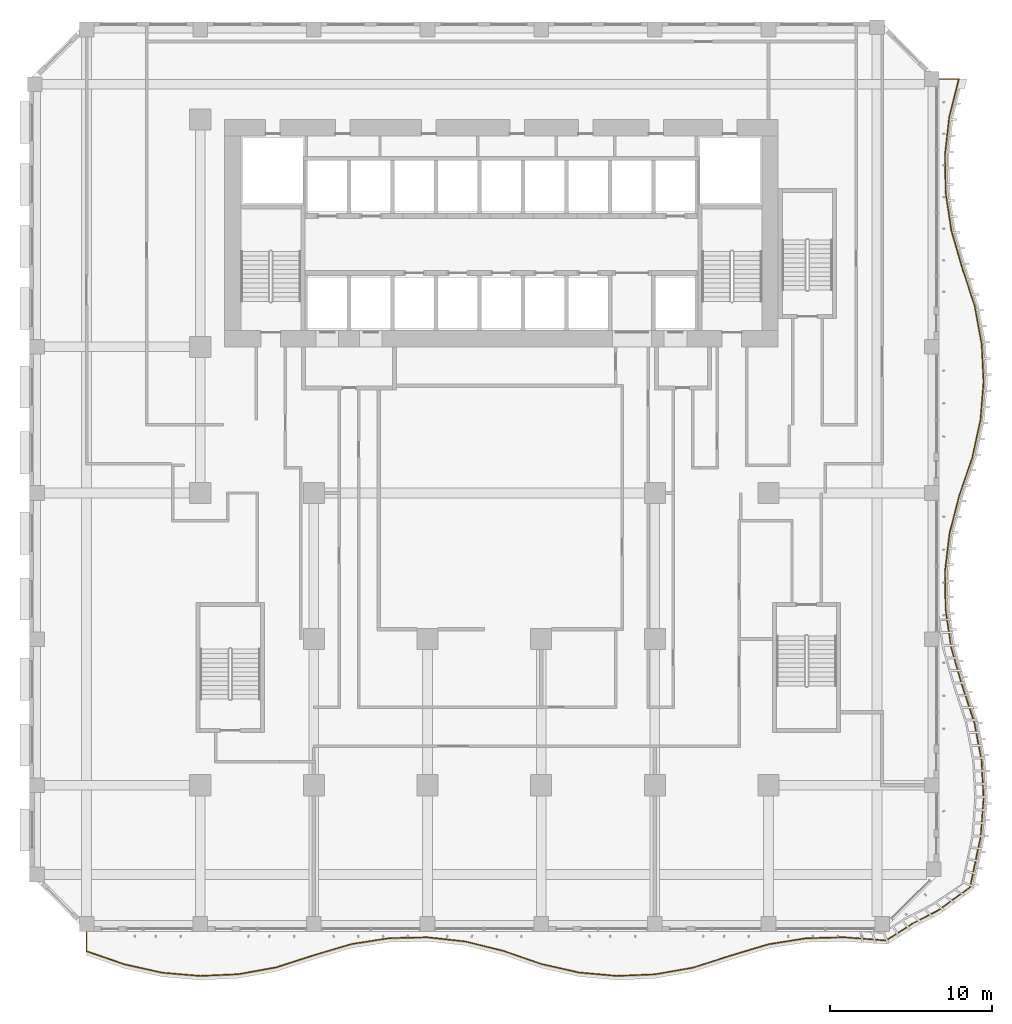
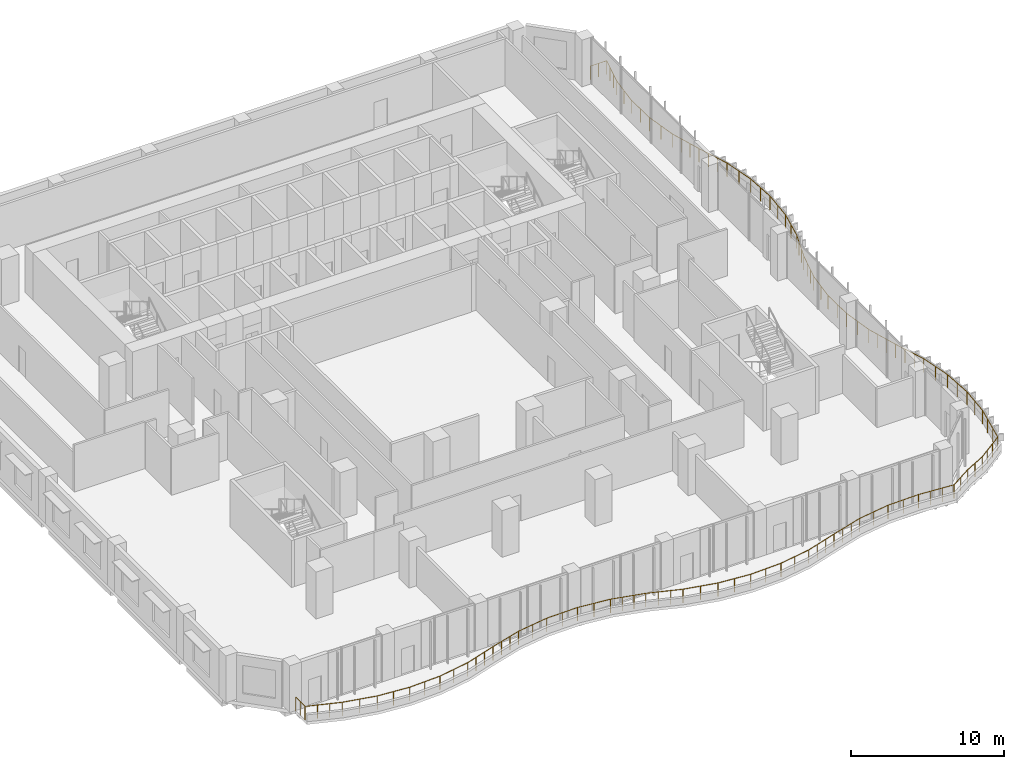
# One storey, part 21 of 27: 1 railing.
"""IFC4 building model written with IfcOpenShell, lengths in metres."""

from ifc_helpers import new_model, si_unit, direction, frame, origin, origin_2d, place, context, subcontext, project, spatial, circle, extrude, material, type_object, element, save


model = new_model("IFC4")

# Units and contexts
model_context = context("Model", 3, precision=1e-05, world=origin(), true_north=direction((0.0, 1.0)))
body_context = subcontext(model_context, "Body", "Model", "MODEL_VIEW")
ifc_project = project(units=[si_unit("LENGTHUNIT", "METRE"), si_unit("AREAUNIT", "SQUARE_METRE"), si_unit("VOLUMEUNIT", "CUBIC_METRE"), si_unit("PLANEANGLEUNIT", "RADIAN"), si_unit("MASSUNIT", "GRAM", prefix="KILO")], contexts=[model_context])

# Site, building, storey
site_placement = place(None, origin())
site = spatial("IfcSite", under=ifc_project, at=site_placement, CompositionType="ELEMENT")
building_placement = place(site_placement, origin())
building = spatial("IfcBuilding", under=site, at=building_placement, Name="Kilnfold Tower and Market Hall", CompositionType="ELEMENT")
storey_placement = place(building_placement, frame((0.0, 0.0, 47.0)))
storey = spatial("IfcBuildingStorey", under=building, at=storey_placement, Name="L10", CompositionType="ELEMENT", Elevation=47.0)

# Railing
ifc_material = material(Name="Stainless steel and laminated glass", Category="steel")
railing_type = type_object("IfcRailingType", Name="GUARD 1100", PredefinedType="GUARDRAIL", material=ifc_material)
railing_placement = place(storey_placement, frame((-24.5, -28.0, 0.0)))
element("IfcRailing", 1, at=railing_placement, inside=storey, type_object=railing_type, Name="Guard balcony L10", PredefinedType="GUARDRAIL", context=body_context, shape_type="SweptSolid", body=[
    extrude(circle(Radius=0.02490234375, at=origin_2d()), frame((0.0, 0.0, 1.0751953125), z_axis=(0.0, -1.0, 0.0), x_axis=(1.0, 0.0, 0.0)), (0.0, 0.0, 1.0), 1.223388671875),
    extrude(circle(Radius=0.02490234375, at=origin_2d()), frame((0.0, -1.223388671875, 1.0751953125), z_axis=(0.945175220701, -0.326563626531, 0.0), x_axis=(0.326563626531, 0.945175220701, 0.0)), (0.0, 0.0, 1.0), 2.468505859375),
    extrude(circle(Radius=0.02490234375, at=origin_2d()), frame((2.333251953125, -2.029541015625, 1.0751953125), z_axis=(0.976316671671, -0.216346381105, 0.0), x_axis=(0.216346381105, 0.976316671671, 0.0)), (0.0, 0.0, 1.0), 2.39013671875),
    extrude(circle(Radius=0.02490234375, at=origin_2d()), frame((4.666748046875, -2.546630859375, 1.0751953125), z_axis=(0.996348169595, -0.085383399696, 0.0), x_axis=(0.085383399696, 0.996348169595, 0.0)), (0.0, 0.0, 1.0), 2.341796875),
    extrude(circle(Radius=0.02490234375, at=origin_2d()), frame((7.0, -2.74658203125, 1.0751953125), z_axis=(0.998956219138, 0.045677918569, 0.0), x_axis=(-0.045677918569, 0.998956219138, 0.0)), (0.0, 0.0, 1.0), 2.335693359375),
    extrude(circle(Radius=0.02490234375, at=origin_2d()), frame((9.333251953125, -2.639892578125, 1.0751953125), z_axis=(0.984280847585, 0.176610342499, 0.0), x_axis=(-0.176610342499, 0.984280847585, 0.0)), (0.0, 0.0, 1.0), 2.370849609375),
    extrude(circle(Radius=0.02490234375, at=origin_2d()), frame((11.666748046875, -2.22119140625, 1.0751953125), z_axis=(0.951822133239, 0.306650659019, 0.0), x_axis=(-0.306650659019, 0.951822133239, 0.0)), (0.0, 0.0, 1.0), 2.451416015625),
    extrude(circle(Radius=0.02490234375, at=origin_2d()), frame((14.0, -1.469482421875, 1.0751953125), z_axis=(0.958871969093, 0.283838945335, 0.0), x_axis=(-0.283838945335, 0.958871969093, 0.0)), (0.0, 0.0, 1.0), 2.433349609375),
    extrude(circle(Radius=0.02490234375, at=origin_2d()), frame((16.333251953125, -0.77880859375, 1.0751953125), z_axis=(0.988254262628, 0.152818560385, 0.0), x_axis=(-0.152818560385, 0.988254262628, 0.0)), (0.0, 0.0, 1.0), 2.361328125),
    extrude(circle(Radius=0.02490234375, at=origin_2d()), frame((18.666748046875, -0.41796875, 1.0751953125), z_axis=(0.999760963806, 0.021863559845, 0.0), x_axis=(-0.021863559845, 0.999760963806, 0.0)), (0.0, 0.0, 1.0), 2.333740234375),
    extrude(circle(Radius=0.02490234375, at=origin_2d()), frame((21.0, -0.366943359375, 1.0751953125), z_axis=(0.994018703781, -0.109209965363, 0.0), x_axis=(0.109209965363, 0.994018703781, 0.0)), (0.0, 0.0, 1.0), 2.347412109375),
    extrude(circle(Radius=0.02490234375, at=origin_2d()), frame((23.333251953125, -0.623291015625, 1.0751953125), z_axis=(0.970748821988, -0.240097323203, 0.0), x_axis=(0.240097323203, 0.970748821988, 0.0)), (0.0, 0.0, 1.0), 2.40380859375),
    extrude(circle(Radius=0.02490234375, at=origin_2d()), frame((25.666748046875, -1.200439453125, 1.0751953125), z_axis=(0.944930811153, -0.327270166885, 0.0), x_axis=(0.327270166885, 0.944930811153, 0.0)), (0.0, 0.0, 1.0), 2.46923828125),
    extrude(circle(Radius=0.02490234375, at=origin_2d()), frame((28.0, -2.008544921875, 1.0751953125), z_axis=(0.97541977644, -0.220354849569, 0.0), x_axis=(0.220354849569, 0.97541977644, 0.0)), (0.0, 0.0, 1.0), 2.39208984375),
    extrude(circle(Radius=0.02490234375, at=origin_2d()), frame((30.333251953125, -2.53564453125, 1.0751953125), z_axis=(0.995995065354, -0.089408219928, 0.0), x_axis=(0.089408219928, 0.995995065354, 0.0)), (0.0, 0.0, 1.0), 2.3427734375),
    extrude(circle(Radius=0.02490234375, at=origin_2d()), frame((32.666748046875, -2.7451171875, 1.0751953125), z_axis=(0.999129627144, 0.041713165348, 0.0), x_axis=(-0.041713165348, 0.999129627144, 0.0)), (0.0, 0.0, 1.0), 2.335205078125),
    extrude(circle(Radius=0.02490234375, at=origin_2d()), frame((35.0, -2.647705078125, 1.0751953125), z_axis=(0.984968716558, 0.172732820859, 0.0), x_axis=(-0.172732820859, 0.984968716558, 0.0)), (0.0, 0.0, 1.0), 2.368896484375),
    extrude(circle(Radius=0.02490234375, at=origin_2d()), frame((37.333251953125, -2.238525390625, 1.0751953125), z_axis=(0.952931017386, 0.303187196471, 0.0), x_axis=(-0.303187196471, 0.952931017386, 0.0)), (0.0, 0.0, 1.0), 2.44873046875),
    extrude(circle(Radius=0.02490234375, at=origin_2d()), frame((39.666748046875, -1.49609375, 1.0751953125), z_axis=(0.957663412718, 0.287890235925, 0.0), x_axis=(-0.287890235925, 0.957663412718, 0.0)), (0.0, 0.0, 1.0), 2.436279296875),
    extrude(circle(Radius=0.02490234375, at=origin_2d()), frame((42.0, -0.794677734375, 1.0751953125), z_axis=(0.98763527449, 0.15676914423, 0.0), x_axis=(-0.15676914423, 0.98763527449, 0.0)), (0.0, 0.0, 1.0), 2.362548828125),
    extrude(circle(Radius=0.02490234375, at=origin_2d()), frame((44.333251953125, -0.42431640625, 1.0751953125), z_axis=(0.999666256818, 0.02583360174, 0.0), x_axis=(-0.02583360174, 0.999666256818, 0.0)), (0.0, 0.0, 1.0), 2.334228515625),
    extrude(circle(Radius=0.02490234375, at=origin_2d()), frame((46.666748046875, -0.364013671875, 1.0751953125), z_axis=(0.996972486943, -0.077755130235, 0.0), x_axis=(0.077755130235, 0.996972486943, 0.0)), (0.0, 0.0, 1.0), 2.57470703125),
    extrude(circle(Radius=0.02490234375, at=origin_2d()), frame((49.233642578125, -0.564208984375, 1.0751953125), z_axis=(0.842172517218, 0.5392081706, 0.0), x_axis=(-0.5392081706, 0.842172517218, 0.0)), (0.0, 0.0, 1.0), 1.928466796875),
    extrude(circle(Radius=0.02490234375, at=origin_2d()), frame((50.857666015625, 0.4755859375, 1.0751953125), z_axis=(0.891167253243, 0.453674913067, 0.0), x_axis=(-0.453674913067, 0.891167253243, 0.0)), (0.0, 0.0, 1.0), 1.73486328125),
    extrude(circle(Radius=0.02490234375, at=origin_2d()), frame((52.40380859375, 1.2626953125, 1.0751953125), z_axis=(0.811775672463, 0.583969397826, 0.0), x_axis=(-0.583969397826, 0.811775672463, 0.0)), (0.0, 0.0, 1.0), 2.474609375),
    extrude(circle(Radius=0.02490234375, at=origin_2d()), frame((54.41259765625, 2.707763671875, 1.0751953125), z_axis=(0.205120350133, 0.978736758256, 0.0), x_axis=(-0.978736758256, 0.205120350133, 0.0)), (0.0, 0.0, 1.0), 3.193359375),
    extrude(circle(Radius=0.02490234375, at=origin_2d()), frame((55.067626953125, 5.833251953125, 1.0751953125), z_axis=(0.077398428524, 0.997000242358, 0.0), x_axis=(-0.997000242358, 0.077398428524, 0.0)), (0.0, 0.0, 1.0), 2.340576171875),
    extrude(circle(Radius=0.02490234375, at=origin_2d()), frame((55.248779296875, 8.166748046875, 1.0751953125), z_axis=(-0.053600767457, 0.998562445583, 0.0), x_axis=(-0.998562445583, -0.053600767457, 0.0)), (0.0, 0.0, 1.0), 2.336669921875),
    extrude(circle(Radius=0.02490234375, at=origin_2d()), frame((55.12353515625, 10.5, 1.0751953125), z_axis=(-0.184592769099, 0.982815094306, 0.0), x_axis=(-0.982815094306, -0.184592769099, 0.0)), (0.0, 0.0, 1.0), 2.3740234375),
    extrude(circle(Radius=0.02490234375, at=origin_2d()), frame((54.685302734375, 12.833251953125, 1.0751953125), z_axis=(-0.312558186473, 0.949898615679, 0.0), x_axis=(-0.949898615679, -0.312558186473, 0.0)), (0.0, 0.0, 1.0), 2.45654296875),
    extrude(circle(Radius=0.02490234375, at=origin_2d()), frame((53.91748046875, 15.166748046875, 1.0751953125), z_axis=(-0.275876590491, 0.96119306428, 0.0), x_axis=(-0.96119306428, -0.275876590491, 0.0)), (0.0, 0.0, 1.0), 2.427490234375),
    extrude(circle(Radius=0.02490234375, at=origin_2d()), frame((53.247802734375, 17.5, 1.0751953125), z_axis=(-0.144942565493, 0.989440070297, 0.0), x_axis=(-0.989440070297, -0.144942565493, 0.0)), (0.0, 0.0, 1.0), 2.358154296875),
    extrude(circle(Radius=0.02490234375, at=origin_2d()), frame((52.906005859375, 19.833251953125, 1.0751953125), z_axis=(-0.013809103763, 0.999904649781, 0.0), x_axis=(-0.999904649781, -0.013809103763, 0.0)), (0.0, 0.0, 1.0), 2.333740234375),
    extrude(circle(Radius=0.02490234375, at=origin_2d()), frame((52.873779296875, 22.166748046875, 1.0751953125), z_axis=(0.117010065984, 0.993130728786, 0.0), x_axis=(-0.993130728786, 0.117010065984, 0.0)), (0.0, 0.0, 1.0), 2.349365234375),
    extrude(circle(Radius=0.02490234375, at=origin_2d()), frame((53.148681640625, 24.5, 1.0751953125), z_axis=(0.248231467122, 0.96870074777, 0.0), x_axis=(-0.96870074777, 0.248231467122, 0.0)), (0.0, 0.0, 1.0), 2.40869140625),
    extrude(circle(Radius=0.02490234375, at=origin_2d()), frame((53.74658203125, 26.833251953125, 1.0751953125), z_axis=(0.325560785009, 0.945521113072, 0.0), x_axis=(-0.945521113072, 0.325560785009, 0.0)), (0.0, 0.0, 1.0), 2.468017578125),
    extrude(circle(Radius=0.02490234375, at=origin_2d()), frame((54.550048828125, 29.166748046875, 1.0751953125), z_axis=(0.212467848118, 0.97716805797, 0.0), x_axis=(-0.97716805797, 0.212467848118, 0.0)), (0.0, 0.0, 1.0), 2.3876953125),
    extrude(circle(Radius=0.02490234375, at=origin_2d()), frame((55.057373046875, 31.5, 1.0751953125), z_axis=(0.081345095449, 0.996685996413, 0.0), x_axis=(-0.996685996413, 0.081345095449, 0.0)), (0.0, 0.0, 1.0), 2.341064453125),
    extrude(circle(Radius=0.02490234375, at=origin_2d()), frame((55.247802734375, 33.833251953125, 1.0751953125), z_axis=(-0.049635333586, 0.998767407187, 0.0), x_axis=(-0.998767407187, -0.049635333586, 0.0)), (0.0, 0.0, 1.0), 2.33642578125),
    extrude(circle(Radius=0.02490234375, at=origin_2d()), frame((55.1318359375, 36.166748046875, 1.0751953125), z_axis=(-0.180614948652, 0.983553882776, 0.0), x_axis=(-0.983553882776, -0.180614948652, 0.0)), (0.0, 0.0, 1.0), 2.372314453125),
    extrude(circle(Radius=0.02490234375, at=origin_2d()), frame((54.703369140625, 38.5, 1.0751953125), z_axis=(-0.309713655114, 0.950829875338, 0.0), x_axis=(-0.950829875338, -0.309713655114, 0.0)), (0.0, 0.0, 1.0), 2.453857421875),
    extrude(circle(Radius=0.02490234375, at=origin_2d()), frame((53.943359375, 40.833251953125, 1.0751953125), z_axis=(-0.279837999342, 0.960047235361, 0.0), x_axis=(-0.960047235361, -0.279837999342, 0.0)), (0.0, 0.0, 1.0), 2.4306640625),
    extrude(circle(Radius=0.02490234375, at=origin_2d()), frame((53.26318359375, 43.166748046875, 1.0751953125), z_axis=(-0.148891927358, 0.988853474468, 0.0), x_axis=(-0.988853474468, -0.148891927358, 0.0)), (0.0, 0.0, 1.0), 2.359619140625),
    extrude(circle(Radius=0.02490234375, at=origin_2d()), frame((52.911865234375, 45.5, 1.0751953125), z_axis=(-0.017889780687, 0.999839965068, 0.0), x_axis=(-0.999839965068, -0.017889780687, 0.0)), (0.0, 0.0, 1.0), 2.333740234375),
    extrude(circle(Radius=0.02490234375, at=origin_2d()), frame((52.8701171875, 47.833251953125, 1.0751953125), z_axis=(0.113203568407, 0.993571815271, 0.0), x_axis=(-0.993571815271, 0.113203568407, 0.0)), (0.0, 0.0, 1.0), 2.3486328125),
    extrude(circle(Radius=0.02490234375, at=origin_2d()), frame((53.135986328125, 50.166748046875, 1.0751953125), z_axis=(0.244134927646, 0.96974127328, 0.0), x_axis=(-0.96974127328, 0.244134927646, 0.0)), (0.0, 0.0, 1.0), 2.406005859375),
    extrude(circle(Radius=0.02490234375, at=origin_2d()), frame((53.723388671875, 52.5, 1.0751953125), z_axis=(-1.0, 0.0, 0.0), x_axis=(0.0, -1.0, 0.0)), (0.0, 0.0, 1.0), 1.223388671875),
    extrude(circle(Radius=0.02490234375, at=origin_2d()), origin(), (0.0, 0.0, 1.0), 1.050048828125),
    extrude(circle(Radius=0.02490234375, at=origin_2d()), frame((0.0, -0.61181640625, 0.0)), (0.0, 0.0, 1.0), 1.050048828125),
    extrude(circle(Radius=0.02490234375, at=origin_2d()), frame((0.0, -1.223388671875, 0.0)), (0.0, 0.0, 1.0), 1.050048828125),
    extrude(circle(Radius=0.02490234375, at=origin_2d()), frame((0.77783203125, -1.4921875, 0.0)), (0.0, 0.0, 1.0), 1.050048828125),
    extrude(circle(Radius=0.02490234375, at=origin_2d()), frame((1.555419921875, -1.7607421875, 0.0)), (0.0, 0.0, 1.0), 1.050048828125),
    extrude(circle(Radius=0.02490234375, at=origin_2d()), frame((2.333251953125, -2.029541015625, 0.0)), (0.0, 0.0, 1.0), 1.050048828125),
    extrude(circle(Radius=0.02490234375, at=origin_2d()), frame((3.5, -2.2880859375, 0.0)), (0.0, 0.0, 1.0), 1.050048828125),
    extrude(circle(Radius=0.02490234375, at=origin_2d()), frame((4.666748046875, -2.546630859375, 0.0)), (0.0, 0.0, 1.0), 1.050048828125),
    extrude(circle(Radius=0.02490234375, at=origin_2d()), frame((5.83349609375, -2.646484375, 0.0)), (0.0, 0.0, 1.0), 1.050048828125),
    extrude(circle(Radius=0.02490234375, at=origin_2d()), frame((7.0, -2.74658203125, 0.0)), (0.0, 0.0, 1.0), 1.050048828125),
    extrude(circle(Radius=0.02490234375, at=origin_2d()), frame((8.16650390625, -2.693359375, 0.0)), (0.0, 0.0, 1.0), 1.050048828125),
    extrude(circle(Radius=0.02490234375, at=origin_2d()), frame((9.333251953125, -2.639892578125, 0.0)), (0.0, 0.0, 1.0), 1.050048828125),
    extrude(circle(Radius=0.02490234375, at=origin_2d()), frame((10.5, -2.4306640625, 0.0)), (0.0, 0.0, 1.0), 1.050048828125),
    extrude(circle(Radius=0.02490234375, at=origin_2d()), frame((11.666748046875, -2.22119140625, 0.0)), (0.0, 0.0, 1.0), 1.050048828125),
    extrude(circle(Radius=0.02490234375, at=origin_2d()), frame((12.444580078125, -1.970703125, 0.0)), (0.0, 0.0, 1.0), 1.050048828125),
    extrude(circle(Radius=0.02490234375, at=origin_2d()), frame((13.22216796875, -1.719970703125, 0.0)), (0.0, 0.0, 1.0), 1.050048828125),
    extrude(circle(Radius=0.02490234375, at=origin_2d()), frame((14.0, -1.469482421875, 0.0)), (0.0, 0.0, 1.0), 1.050048828125),
    extrude(circle(Radius=0.02490234375, at=origin_2d()), frame((14.77783203125, -1.2392578125, 0.0)), (0.0, 0.0, 1.0), 1.050048828125),
    extrude(circle(Radius=0.02490234375, at=origin_2d()), frame((15.555419921875, -1.009033203125, 0.0)), (0.0, 0.0, 1.0), 1.050048828125),
    extrude(circle(Radius=0.02490234375, at=origin_2d()), frame((16.333251953125, -0.77880859375, 0.0)), (0.0, 0.0, 1.0), 1.050048828125),
    extrude(circle(Radius=0.02490234375, at=origin_2d()), frame((17.5, -0.598388671875, 0.0)), (0.0, 0.0, 1.0), 1.050048828125),
    extrude(circle(Radius=0.02490234375, at=origin_2d()), frame((18.666748046875, -0.41796875, 0.0)), (0.0, 0.0, 1.0), 1.050048828125),
    extrude(circle(Radius=0.02490234375, at=origin_2d()), frame((19.83349609375, -0.392578125, 0.0)), (0.0, 0.0, 1.0), 1.050048828125),
    extrude(circle(Radius=0.02490234375, at=origin_2d()), frame((21.0, -0.366943359375, 0.0)), (0.0, 0.0, 1.0), 1.050048828125),
    extrude(circle(Radius=0.02490234375, at=origin_2d()), frame((22.16650390625, -0.4951171875, 0.0)), (0.0, 0.0, 1.0), 1.050048828125),
    extrude(circle(Radius=0.02490234375, at=origin_2d()), frame((23.333251953125, -0.623291015625, 0.0)), (0.0, 0.0, 1.0), 1.050048828125),
    extrude(circle(Radius=0.02490234375, at=origin_2d()), frame((24.111083984375, -0.815673828125, 0.0)), (0.0, 0.0, 1.0), 1.050048828125),
    extrude(circle(Radius=0.02490234375, at=origin_2d()), frame((24.888916015625, -1.008056640625, 0.0)), (0.0, 0.0, 1.0), 1.050048828125),
    extrude(circle(Radius=0.02490234375, at=origin_2d()), frame((25.666748046875, -1.200439453125, 0.0)), (0.0, 0.0, 1.0), 1.050048828125),
    extrude(circle(Radius=0.02490234375, at=origin_2d()), frame((26.444580078125, -1.4697265625, 0.0)), (0.0, 0.0, 1.0), 1.050048828125),
    extrude(circle(Radius=0.02490234375, at=origin_2d()), frame((27.22216796875, -1.7392578125, 0.0)), (0.0, 0.0, 1.0), 1.050048828125),
    extrude(circle(Radius=0.02490234375, at=origin_2d()), frame((28.0, -2.008544921875, 0.0)), (0.0, 0.0, 1.0), 1.050048828125),
    extrude(circle(Radius=0.02490234375, at=origin_2d()), frame((29.16650390625, -2.27197265625, 0.0)), (0.0, 0.0, 1.0), 1.050048828125),
    extrude(circle(Radius=0.02490234375, at=origin_2d()), frame((30.333251953125, -2.53564453125, 0.0)), (0.0, 0.0, 1.0), 1.050048828125),
    extrude(circle(Radius=0.02490234375, at=origin_2d()), frame((31.5, -2.640380859375, 0.0)), (0.0, 0.0, 1.0), 1.050048828125),
    extrude(circle(Radius=0.02490234375, at=origin_2d()), frame((32.666748046875, -2.7451171875, 0.0)), (0.0, 0.0, 1.0), 1.050048828125),
    extrude(circle(Radius=0.02490234375, at=origin_2d()), frame((33.83349609375, -2.6962890625, 0.0)), (0.0, 0.0, 1.0), 1.050048828125),
    extrude(circle(Radius=0.02490234375, at=origin_2d()), frame((35.0, -2.647705078125, 0.0)), (0.0, 0.0, 1.0), 1.050048828125),
    extrude(circle(Radius=0.02490234375, at=origin_2d()), frame((36.16650390625, -2.443115234375, 0.0)), (0.0, 0.0, 1.0), 1.050048828125),
    extrude(circle(Radius=0.02490234375, at=origin_2d()), frame((37.333251953125, -2.238525390625, 0.0)), (0.0, 0.0, 1.0), 1.050048828125),
    extrude(circle(Radius=0.02490234375, at=origin_2d()), frame((38.111083984375, -1.990966796875, 0.0)), (0.0, 0.0, 1.0), 1.050048828125),
    extrude(circle(Radius=0.02490234375, at=origin_2d()), frame((38.888916015625, -1.74365234375, 0.0)), (0.0, 0.0, 1.0), 1.050048828125),
    extrude(circle(Radius=0.02490234375, at=origin_2d()), frame((39.666748046875, -1.49609375, 0.0)), (0.0, 0.0, 1.0), 1.050048828125),
    extrude(circle(Radius=0.02490234375, at=origin_2d()), frame((40.444580078125, -1.26220703125, 0.0)), (0.0, 0.0, 1.0), 1.050048828125),
    extrude(circle(Radius=0.02490234375, at=origin_2d()), frame((41.22216796875, -1.028564453125, 0.0)), (0.0, 0.0, 1.0), 1.050048828125),
    extrude(circle(Radius=0.02490234375, at=origin_2d()), frame((42.0, -0.794677734375, 0.0)), (0.0, 0.0, 1.0), 1.050048828125),
    extrude(circle(Radius=0.02490234375, at=origin_2d()), frame((43.16650390625, -0.609375, 0.0)), (0.0, 0.0, 1.0), 1.050048828125),
    extrude(circle(Radius=0.02490234375, at=origin_2d()), frame((44.333251953125, -0.42431640625, 0.0)), (0.0, 0.0, 1.0), 1.050048828125),
    extrude(circle(Radius=0.02490234375, at=origin_2d()), frame((45.5, -0.39404296875, 0.0)), (0.0, 0.0, 1.0), 1.050048828125),
    extrude(circle(Radius=0.02490234375, at=origin_2d()), frame((46.666748046875, -0.364013671875, 0.0)), (0.0, 0.0, 1.0), 1.050048828125),
    extrude(circle(Radius=0.02490234375, at=origin_2d()), frame((47.5224609375, -0.4306640625, 0.0)), (0.0, 0.0, 1.0), 1.050048828125),
    extrude(circle(Radius=0.02490234375, at=origin_2d()), frame((48.3779296875, -0.49755859375, 0.0)), (0.0, 0.0, 1.0), 1.050048828125),
    extrude(circle(Radius=0.02490234375, at=origin_2d()), frame((49.233642578125, -0.564208984375, 0.0)), (0.0, 0.0, 1.0), 1.050048828125),
    extrude(circle(Radius=0.02490234375, at=origin_2d()), frame((50.045654296875, -0.04443359375, 0.0)), (0.0, 0.0, 1.0), 1.050048828125),
    extrude(circle(Radius=0.02490234375, at=origin_2d()), frame((50.857666015625, 0.4755859375, 0.0)), (0.0, 0.0, 1.0), 1.050048828125),
    extrude(circle(Radius=0.02490234375, at=origin_2d()), frame((51.630859375, 0.869140625, 0.0)), (0.0, 0.0, 1.0), 1.050048828125),
    extrude(circle(Radius=0.02490234375, at=origin_2d()), frame((52.40380859375, 1.2626953125, 0.0)), (0.0, 0.0, 1.0), 1.050048828125),
    extrude(circle(Radius=0.02490234375, at=origin_2d()), frame((53.073486328125, 1.744384765625, 0.0)), (0.0, 0.0, 1.0), 1.050048828125),
    extrude(circle(Radius=0.02490234375, at=origin_2d()), frame((53.742919921875, 2.22607421875, 0.0)), (0.0, 0.0, 1.0), 1.050048828125),
    extrude(circle(Radius=0.02490234375, at=origin_2d()), frame((54.41259765625, 2.707763671875, 0.0)), (0.0, 0.0, 1.0), 1.050048828125),
    extrude(circle(Radius=0.02490234375, at=origin_2d()), frame((54.630859375, 3.74951171875, 0.0)), (0.0, 0.0, 1.0), 1.050048828125),
    extrude(circle(Radius=0.02490234375, at=origin_2d()), frame((54.849365234375, 4.79150390625, 0.0)), (0.0, 0.0, 1.0), 1.050048828125),
    extrude(circle(Radius=0.02490234375, at=origin_2d()), frame((55.067626953125, 5.833251953125, 0.0)), (0.0, 0.0, 1.0), 1.050048828125),
    extrude(circle(Radius=0.02490234375, at=origin_2d()), frame((55.158203125, 7.0, 0.0)), (0.0, 0.0, 1.0), 1.050048828125),
    extrude(circle(Radius=0.02490234375, at=origin_2d()), frame((55.248779296875, 8.166748046875, 0.0)), (0.0, 0.0, 1.0), 1.050048828125),
    extrude(circle(Radius=0.02490234375, at=origin_2d()), frame((55.18603515625, 9.33349609375, 0.0)), (0.0, 0.0, 1.0), 1.050048828125),
    extrude(circle(Radius=0.02490234375, at=origin_2d()), frame((55.12353515625, 10.5, 0.0)), (0.0, 0.0, 1.0), 1.050048828125),
    extrude(circle(Radius=0.02490234375, at=origin_2d()), frame((54.904296875, 11.66650390625, 0.0)), (0.0, 0.0, 1.0), 1.050048828125),
    extrude(circle(Radius=0.02490234375, at=origin_2d()), frame((54.685302734375, 12.833251953125, 0.0)), (0.0, 0.0, 1.0), 1.050048828125),
    extrude(circle(Radius=0.02490234375, at=origin_2d()), frame((54.429443359375, 13.611083984375, 0.0)), (0.0, 0.0, 1.0), 1.050048828125),
    extrude(circle(Radius=0.02490234375, at=origin_2d()), frame((54.17333984375, 14.388916015625, 0.0)), (0.0, 0.0, 1.0), 1.050048828125),
    extrude(circle(Radius=0.02490234375, at=origin_2d()), frame((53.91748046875, 15.166748046875, 0.0)), (0.0, 0.0, 1.0), 1.050048828125),
    extrude(circle(Radius=0.02490234375, at=origin_2d()), frame((53.6943359375, 15.944580078125, 0.0)), (0.0, 0.0, 1.0), 1.050048828125),
    extrude(circle(Radius=0.02490234375, at=origin_2d()), frame((53.470947265625, 16.72216796875, 0.0)), (0.0, 0.0, 1.0), 1.050048828125),
    extrude(circle(Radius=0.02490234375, at=origin_2d()), frame((53.247802734375, 17.5, 0.0)), (0.0, 0.0, 1.0), 1.050048828125),
    extrude(circle(Radius=0.02490234375, at=origin_2d()), frame((53.076904296875, 18.66650390625, 0.0)), (0.0, 0.0, 1.0), 1.050048828125),
    extrude(circle(Radius=0.02490234375, at=origin_2d()), frame((52.906005859375, 19.833251953125, 0.0)), (0.0, 0.0, 1.0), 1.050048828125),
    extrude(circle(Radius=0.02490234375, at=origin_2d()), frame((52.889892578125, 21.0, 0.0)), (0.0, 0.0, 1.0), 1.050048828125),
    extrude(circle(Radius=0.02490234375, at=origin_2d()), frame((52.873779296875, 22.166748046875, 0.0)), (0.0, 0.0, 1.0), 1.050048828125),
    extrude(circle(Radius=0.02490234375, at=origin_2d()), frame((53.01123046875, 23.33349609375, 0.0)), (0.0, 0.0, 1.0), 1.050048828125),
    extrude(circle(Radius=0.02490234375, at=origin_2d()), frame((53.148681640625, 24.5, 0.0)), (0.0, 0.0, 1.0), 1.050048828125),
    extrude(circle(Radius=0.02490234375, at=origin_2d()), frame((53.347900390625, 25.27783203125, 0.0)), (0.0, 0.0, 1.0), 1.050048828125),
    extrude(circle(Radius=0.02490234375, at=origin_2d()), frame((53.54736328125, 26.055419921875, 0.0)), (0.0, 0.0, 1.0), 1.050048828125),
    extrude(circle(Radius=0.02490234375, at=origin_2d()), frame((53.74658203125, 26.833251953125, 0.0)), (0.0, 0.0, 1.0), 1.050048828125),
    extrude(circle(Radius=0.02490234375, at=origin_2d()), frame((54.014404296875, 27.611083984375, 0.0)), (0.0, 0.0, 1.0), 1.050048828125),
    extrude(circle(Radius=0.02490234375, at=origin_2d()), frame((54.2822265625, 28.388916015625, 0.0)), (0.0, 0.0, 1.0), 1.050048828125),
    extrude(circle(Radius=0.02490234375, at=origin_2d()), frame((54.550048828125, 29.166748046875, 0.0)), (0.0, 0.0, 1.0), 1.050048828125),
    extrude(circle(Radius=0.02490234375, at=origin_2d()), frame((54.8037109375, 30.33349609375, 0.0)), (0.0, 0.0, 1.0), 1.050048828125),
    extrude(circle(Radius=0.02490234375, at=origin_2d()), frame((55.057373046875, 31.5, 0.0)), (0.0, 0.0, 1.0), 1.050048828125),
    extrude(circle(Radius=0.02490234375, at=origin_2d()), frame((55.152587890625, 32.66650390625, 0.0)), (0.0, 0.0, 1.0), 1.050048828125),
    extrude(circle(Radius=0.02490234375, at=origin_2d()), frame((55.247802734375, 33.833251953125, 0.0)), (0.0, 0.0, 1.0), 1.050048828125),
    extrude(circle(Radius=0.02490234375, at=origin_2d()), frame((55.18994140625, 35.0, 0.0)), (0.0, 0.0, 1.0), 1.050048828125),
    extrude(circle(Radius=0.02490234375, at=origin_2d()), frame((55.1318359375, 36.166748046875, 0.0)), (0.0, 0.0, 1.0), 1.050048828125),
    extrude(circle(Radius=0.02490234375, at=origin_2d()), frame((54.91748046875, 37.33349609375, 0.0)), (0.0, 0.0, 1.0), 1.050048828125),
    extrude(circle(Radius=0.02490234375, at=origin_2d()), frame((54.703369140625, 38.5, 0.0)), (0.0, 0.0, 1.0), 1.050048828125),
    extrude(circle(Radius=0.02490234375, at=origin_2d()), frame((54.449951171875, 39.27783203125, 0.0)), (0.0, 0.0, 1.0), 1.050048828125),
    extrude(circle(Radius=0.02490234375, at=origin_2d()), frame((54.19677734375, 40.055419921875, 0.0)), (0.0, 0.0, 1.0), 1.050048828125),
    extrude(circle(Radius=0.02490234375, at=origin_2d()), frame((53.943359375, 40.833251953125, 0.0)), (0.0, 0.0, 1.0), 1.050048828125),
    extrude(circle(Radius=0.02490234375, at=origin_2d()), frame((53.716552734375, 41.611083984375, 0.0)), (0.0, 0.0, 1.0), 1.050048828125),
    extrude(circle(Radius=0.02490234375, at=origin_2d()), frame((53.489990234375, 42.388916015625, 0.0)), (0.0, 0.0, 1.0), 1.050048828125),
    extrude(circle(Radius=0.02490234375, at=origin_2d()), frame((53.26318359375, 43.166748046875, 0.0)), (0.0, 0.0, 1.0), 1.050048828125),
    extrude(circle(Radius=0.02490234375, at=origin_2d()), frame((53.08740234375, 44.33349609375, 0.0)), (0.0, 0.0, 1.0), 1.050048828125),
    extrude(circle(Radius=0.02490234375, at=origin_2d()), frame((52.911865234375, 45.5, 0.0)), (0.0, 0.0, 1.0), 1.050048828125),
    extrude(circle(Radius=0.02490234375, at=origin_2d()), frame((52.89111328125, 46.66650390625, 0.0)), (0.0, 0.0, 1.0), 1.050048828125),
    extrude(circle(Radius=0.02490234375, at=origin_2d()), frame((52.8701171875, 47.833251953125, 0.0)), (0.0, 0.0, 1.0), 1.050048828125),
    extrude(circle(Radius=0.02490234375, at=origin_2d()), frame((53.0029296875, 49.0, 0.0)), (0.0, 0.0, 1.0), 1.050048828125),
    extrude(circle(Radius=0.02490234375, at=origin_2d()), frame((53.135986328125, 50.166748046875, 0.0)), (0.0, 0.0, 1.0), 1.050048828125),
    extrude(circle(Radius=0.02490234375, at=origin_2d()), frame((53.331787109375, 50.944580078125, 0.0)), (0.0, 0.0, 1.0), 1.050048828125),
    extrude(circle(Radius=0.02490234375, at=origin_2d()), frame((53.527587890625, 51.72216796875, 0.0)), (0.0, 0.0, 1.0), 1.050048828125),
    extrude(circle(Radius=0.02490234375, at=origin_2d()), frame((53.723388671875, 52.5, 0.0)), (0.0, 0.0, 1.0), 1.050048828125),
    extrude(circle(Radius=0.02490234375, at=origin_2d()), frame((53.11181640625, 52.5, 0.0)), (0.0, 0.0, 1.0), 1.050048828125),
    extrude(circle(Radius=0.02490234375, at=origin_2d()), frame((52.5, 52.5, 0.0)), (0.0, 0.0, 1.0), 1.050048828125),
])

save(model, "model.ifc")
